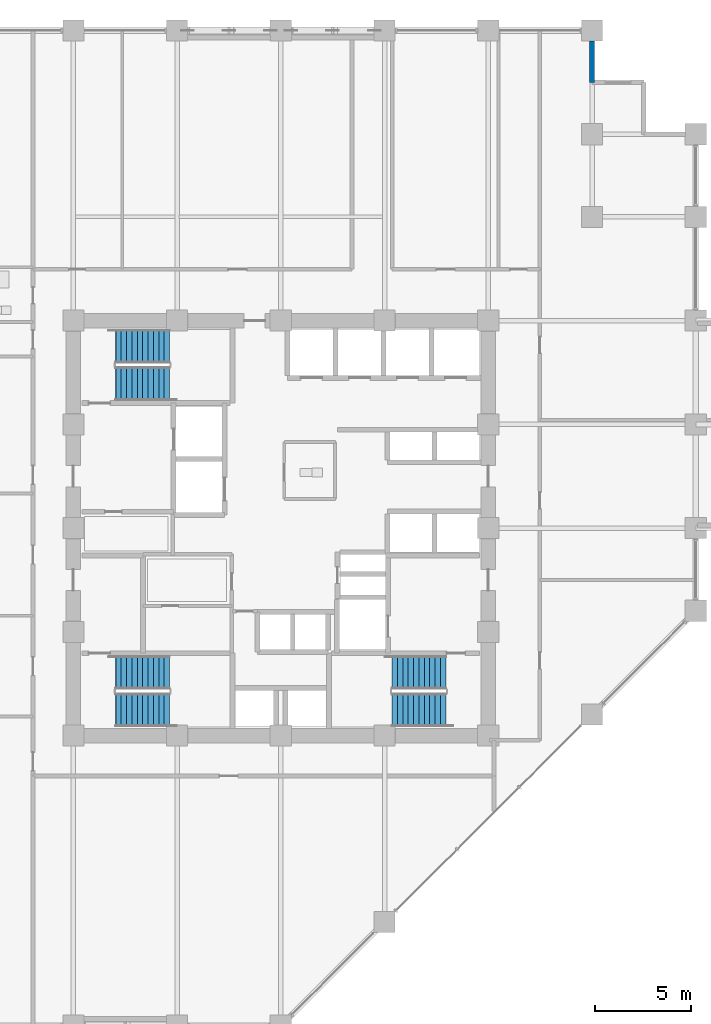
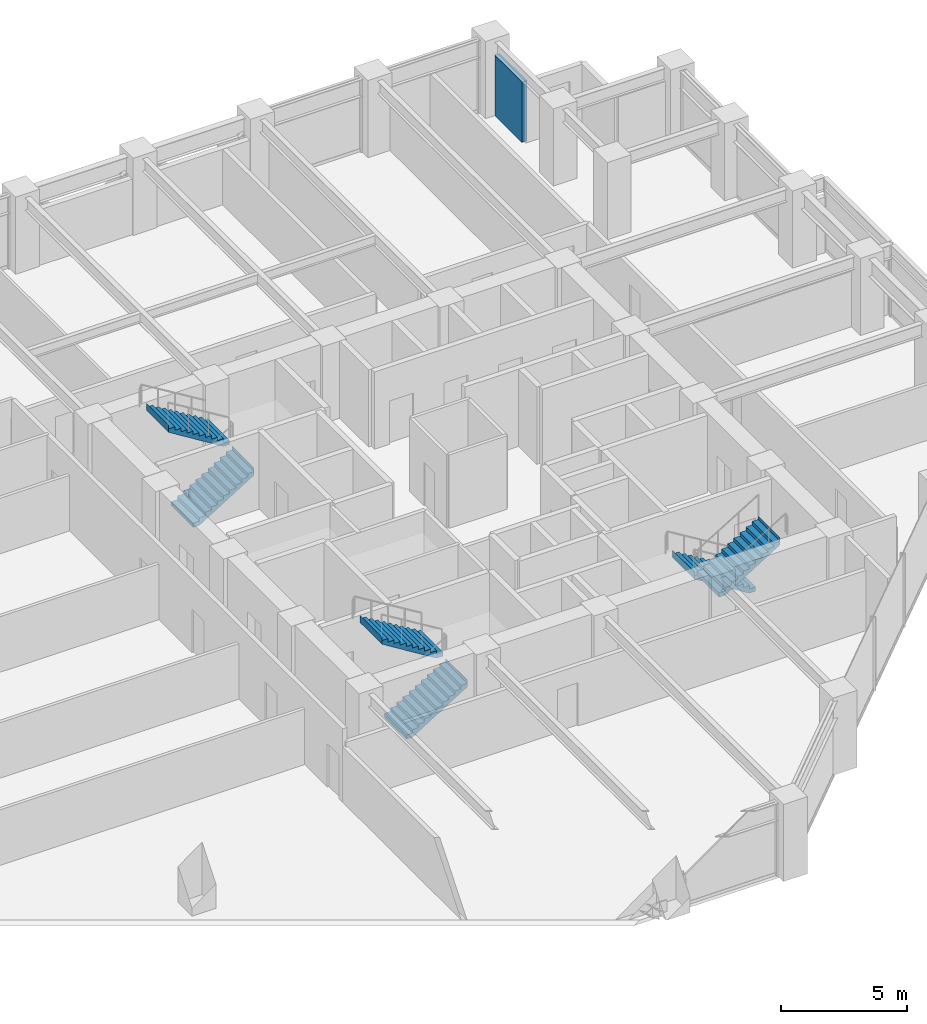
# One storey, part 23 of 26: 6 stair flights, 1 wall, 3 elements without a shape of their own.
"""IFC4 building model written with IfcOpenShell, lengths in metres."""

from ifc_helpers import new_model, si_unit, direction, frame, frame_2d, origin, place, context, subcontext, project, spatial, polyline, rectangle, outline, extrude, material, layer, layer_set, type_object, element, aggregate, save


model = new_model("IFC4")

# Units and contexts
model_context = context("Model", 3, precision=1e-05, world=origin(), true_north=direction((0.0, 1.0)))
body_context = subcontext(model_context, "Body", "Model", "MODEL_VIEW")
ifc_project = project(units=[si_unit("LENGTHUNIT", "METRE"), si_unit("AREAUNIT", "SQUARE_METRE"), si_unit("VOLUMEUNIT", "CUBIC_METRE"), si_unit("PLANEANGLEUNIT", "RADIAN"), si_unit("MASSUNIT", "GRAM", prefix="KILO")], contexts=[model_context])

# Site, building, storey
site_placement = place(None, origin())
site = spatial("IfcSite", under=ifc_project, at=site_placement, CompositionType="ELEMENT")
building_placement = place(site_placement, origin())
building = spatial("IfcBuilding", under=site, at=building_placement, Name="Surkhivell Harbour Commons", CompositionType="ELEMENT")
storey_placement = place(building_placement, frame((0.0, 0.0, 102.0)))
storey = spatial("IfcBuildingStorey", under=building, at=storey_placement, Name="L26", CompositionType="ELEMENT", Elevation=102.0)

# Wall
ifc_material_1 = material(Name="Bronze-ochre cassette precast concrete C45/55", Category="concrete")
ifc_layer = layer(ifc_material_1, 0.239990234375)
ifc_layer_set = layer_set([ifc_layer], Name="Bronze-ochre cassette precast concrete C45/55")
wall_type = type_object("IfcWallType", Name="WAL-EXT-OCH240", PredefinedType="STANDARD", material=ifc_layer_set)
wall_placement = place(storey_placement, frame((16.199951171875, 23.199951171875, 0.0), z_axis=(0.0, 0.0, 1.0), x_axis=(0.0, 1.0, 0.0)))
element("IfcWall", 1, at=wall_placement, inside=storey, type_object=wall_type, Name="L26 Serrated Corner Facade Wall 06", PredefinedType="STANDARD", context=body_context, shape_type="SweptSolid", body=[
    extrude(rectangle(XDim=2.152099609375, YDim=0.239990234375, at=frame_2d((1.076171875, 0.0))), origin(), (0.0, 0.0, 1.0), 2.93310546875),
])

# Stair, stair flights
ifc_material_2 = material(Name="Precast concrete C45/55", Category="concrete")
stair_type = type_object("IfcStairType", Name="STR-DL-375", PredefinedType="HALF_TURN_STAIR", material=ifc_material_2)
stair_1_placement = place(storey_placement, origin())
stair_1 = element("IfcStair", 2, at=stair_1_placement, inside=storey, type_object=stair_type, Name="L26 Core Exit Stair ST1", PredefinedType="HALF_TURN_STAIR")
stair_flight_type = type_object("IfcStairFlightType", Name="STF-DL-375", PredefinedType="STRAIGHT", material=ifc_material_2)
stair_flight_1_placement = place(storey_placement, frame((-8.590087890625, 7.514892578125, 0.0), z_axis=(0.0, 0.0, 1.0), x_axis=(1.0, 0.0, 0.0)))
stair_flight_1 = element("IfcStairFlight", 3, at=stair_flight_1_placement, type_object=stair_flight_type, Name="ST1 flight 1", NumberOfRisers=11, NumberOfTreads=10, PredefinedType="STRAIGHT", RiserHeight=0.170454545, TreadLength=0.28, context=body_context, shape_type="SweptSolid", body=[
    extrude(outline(polyline([(-0.0029296875, -0.034912109375), (-0.0029296875, 0.0), (0.0, 0.0), (0.0, 0.17041015625), (0.280029296875, 0.17041015625), (0.280029296875, 0.3408203125), (0.56005859375, 0.3408203125), (0.56005859375, 0.511474609375), (0.840087890625, 0.511474609375), (0.840087890625, 0.681884765625), (1.1201171875, 0.681884765625), (1.1201171875, 0.852294921875), (1.39990234375, 0.852294921875), (1.39990234375, 1.022705078125), (1.679931640625, 1.022705078125), (1.679931640625, 1.193115234375), (1.9599609375, 1.193115234375), (1.9599609375, 1.363525390625), (2.239990234375, 1.363525390625), (2.239990234375, 1.5341796875), (2.52001953125, 1.5341796875), (2.52001953125, 1.70458984375), (2.800048828125, 1.70458984375), (2.800048828125, 1.875), (2.802978515625, 1.875), (2.802978515625, 1.529052734375), (0.288330078125, -0.034912109375), (-0.0029296875, -0.034912109375)])), frame((0.0, 0.875, 0.0), z_axis=(0.0, -1.0, 0.0), x_axis=(1.0, 0.0, 0.0)), (0.0, 0.0, 1.0), 1.75),
])
stair_flight_2_placement = place(storey_placement, frame((-5.7900390625, 9.465087890625, 1.875), z_axis=(0.0, 0.0, 1.0), x_axis=(-1.0, 0.0, 0.0)))
stair_flight_2 = element("IfcStairFlight", 4, at=stair_flight_2_placement, type_object=stair_flight_type, Name="ST1 flight 2", NumberOfRisers=11, NumberOfTreads=10, PredefinedType="STRAIGHT", RiserHeight=0.170454545, TreadLength=0.28, context=body_context, shape_type="SweptSolid", body=[
    extrude(outline(polyline([(-0.0029296875, -0.034912109375), (-0.0029296875, 0.0), (0.0, 0.0), (0.0, 0.17041015625), (0.280029296875, 0.17041015625), (0.280029296875, 0.3408203125), (0.56005859375, 0.3408203125), (0.56005859375, 0.511474609375), (0.840087890625, 0.511474609375), (0.840087890625, 0.681884765625), (1.1201171875, 0.681884765625), (1.1201171875, 0.852294921875), (1.39990234375, 0.852294921875), (1.39990234375, 1.022705078125), (1.679931640625, 1.022705078125), (1.679931640625, 1.193115234375), (1.9599609375, 1.193115234375), (1.9599609375, 1.363525390625), (2.239990234375, 1.363525390625), (2.239990234375, 1.5341796875), (2.52001953125, 1.5341796875), (2.52001953125, 1.70458984375), (2.800048828125, 1.70458984375), (2.800048828125, 1.875), (2.802978515625, 1.875), (2.802978515625, 1.529052734375), (0.288330078125, -0.034912109375), (-0.0029296875, -0.034912109375)])), frame((0.0, 0.875, 0.0), z_axis=(0.0, -1.0, 0.0), x_axis=(1.0, 0.0, 0.0)), (0.0, 0.0, 1.0), 1.75),
])
aggregate(stair_1, [stair_flight_1, stair_flight_2])

stair_2_placement = place(storey_placement, origin())
stair_2 = element("IfcStair", 5, at=stair_2_placement, inside=storey, type_object=stair_type, Name="L26 Core Exit Stair ST2", PredefinedType="HALF_TURN_STAIR")
stair_flight_3_placement = place(storey_placement, frame((8.590087890625, -7.514892578125, 0.0), z_axis=(0.0, 0.0, 1.0), x_axis=(-1.0, 0.0, 0.0)))
stair_flight_3 = element("IfcStairFlight", 6, at=stair_flight_3_placement, type_object=stair_flight_type, Name="ST2 flight 1", NumberOfRisers=11, NumberOfTreads=10, PredefinedType="STRAIGHT", RiserHeight=0.170454545, TreadLength=0.28, context=body_context, shape_type="SweptSolid", body=[
    extrude(outline(polyline([(-0.0029296875, -0.034912109375), (-0.0029296875, 0.0), (0.0, 0.0), (0.0, 0.17041015625), (0.280029296875, 0.17041015625), (0.280029296875, 0.3408203125), (0.56005859375, 0.3408203125), (0.56005859375, 0.511474609375), (0.840087890625, 0.511474609375), (0.840087890625, 0.681884765625), (1.1201171875, 0.681884765625), (1.1201171875, 0.852294921875), (1.39990234375, 0.852294921875), (1.39990234375, 1.022705078125), (1.679931640625, 1.022705078125), (1.679931640625, 1.193115234375), (1.9599609375, 1.193115234375), (1.9599609375, 1.363525390625), (2.239990234375, 1.363525390625), (2.239990234375, 1.5341796875), (2.52001953125, 1.5341796875), (2.52001953125, 1.70458984375), (2.800048828125, 1.70458984375), (2.800048828125, 1.875), (2.802978515625, 1.875), (2.802978515625, 1.529052734375), (0.288330078125, -0.034912109375), (-0.0029296875, -0.034912109375)])), frame((0.0, 0.875, 0.0), z_axis=(0.0, -1.0, 0.0), x_axis=(1.0, 0.0, 0.0)), (0.0, 0.0, 1.0), 1.75),
])
stair_flight_4_placement = place(storey_placement, frame((5.7900390625, -9.465087890625, 1.875), z_axis=(0.0, 0.0, 1.0), x_axis=(1.0, 0.0, 0.0)))
stair_flight_4 = element("IfcStairFlight", 7, at=stair_flight_4_placement, type_object=stair_flight_type, Name="ST2 flight 2", NumberOfRisers=11, NumberOfTreads=10, PredefinedType="STRAIGHT", RiserHeight=0.170454545, TreadLength=0.28, context=body_context, shape_type="SweptSolid", body=[
    extrude(outline(polyline([(-0.0029296875, -0.034912109375), (-0.0029296875, 0.0), (0.0, 0.0), (0.0, 0.17041015625), (0.280029296875, 0.17041015625), (0.280029296875, 0.3408203125), (0.56005859375, 0.3408203125), (0.56005859375, 0.511474609375), (0.840087890625, 0.511474609375), (0.840087890625, 0.681884765625), (1.1201171875, 0.681884765625), (1.1201171875, 0.852294921875), (1.39990234375, 0.852294921875), (1.39990234375, 1.022705078125), (1.679931640625, 1.022705078125), (1.679931640625, 1.193115234375), (1.9599609375, 1.193115234375), (1.9599609375, 1.363525390625), (2.239990234375, 1.363525390625), (2.239990234375, 1.5341796875), (2.52001953125, 1.5341796875), (2.52001953125, 1.70458984375), (2.800048828125, 1.70458984375), (2.800048828125, 1.875), (2.802978515625, 1.875), (2.802978515625, 1.529052734375), (0.288330078125, -0.034912109375), (-0.0029296875, -0.034912109375)])), frame((0.0, 0.875, 0.0), z_axis=(0.0, -1.0, 0.0), x_axis=(1.0, 0.0, 0.0)), (0.0, 0.0, 1.0), 1.75),
])
aggregate(stair_2, [stair_flight_3, stair_flight_4])

stair_3_placement = place(storey_placement, origin())
stair_3 = element("IfcStair", 8, at=stair_3_placement, inside=storey, type_object=stair_type, Name="L26 Core Exit Stair ST3", PredefinedType="HALF_TURN_STAIR")
stair_flight_5_placement = place(storey_placement, frame((-8.590087890625, -9.465087890625, 0.0), z_axis=(0.0, 0.0, 1.0), x_axis=(1.0, 0.0, 0.0)))
stair_flight_5 = element("IfcStairFlight", 9, at=stair_flight_5_placement, type_object=stair_flight_type, Name="ST3 flight 1", NumberOfRisers=11, NumberOfTreads=10, PredefinedType="STRAIGHT", RiserHeight=0.170454545, TreadLength=0.28, context=body_context, shape_type="SweptSolid", body=[
    extrude(outline(polyline([(-0.0029296875, -0.034912109375), (-0.0029296875, 0.0), (0.0, 0.0), (0.0, 0.17041015625), (0.280029296875, 0.17041015625), (0.280029296875, 0.3408203125), (0.56005859375, 0.3408203125), (0.56005859375, 0.511474609375), (0.840087890625, 0.511474609375), (0.840087890625, 0.681884765625), (1.1201171875, 0.681884765625), (1.1201171875, 0.852294921875), (1.39990234375, 0.852294921875), (1.39990234375, 1.022705078125), (1.679931640625, 1.022705078125), (1.679931640625, 1.193115234375), (1.9599609375, 1.193115234375), (1.9599609375, 1.363525390625), (2.239990234375, 1.363525390625), (2.239990234375, 1.5341796875), (2.52001953125, 1.5341796875), (2.52001953125, 1.70458984375), (2.800048828125, 1.70458984375), (2.800048828125, 1.875), (2.802978515625, 1.875), (2.802978515625, 1.529052734375), (0.288330078125, -0.034912109375), (-0.0029296875, -0.034912109375)])), frame((0.0, 0.875, 0.0), z_axis=(0.0, -1.0, 0.0), x_axis=(1.0, 0.0, 0.0)), (0.0, 0.0, 1.0), 1.75),
])
stair_flight_6_placement = place(storey_placement, frame((-5.7900390625, -7.514892578125, 1.875), z_axis=(0.0, 0.0, 1.0), x_axis=(-1.0, 0.0, 0.0)))
stair_flight_6 = element("IfcStairFlight", 10, at=stair_flight_6_placement, type_object=stair_flight_type, Name="ST3 flight 2", NumberOfRisers=11, NumberOfTreads=10, PredefinedType="STRAIGHT", RiserHeight=0.170454545, TreadLength=0.28, context=body_context, shape_type="SweptSolid", body=[
    extrude(outline(polyline([(-0.0029296875, -0.034912109375), (-0.0029296875, 0.0), (0.0, 0.0), (0.0, 0.17041015625), (0.280029296875, 0.17041015625), (0.280029296875, 0.3408203125), (0.56005859375, 0.3408203125), (0.56005859375, 0.511474609375), (0.840087890625, 0.511474609375), (0.840087890625, 0.681884765625), (1.1201171875, 0.681884765625), (1.1201171875, 0.852294921875), (1.39990234375, 0.852294921875), (1.39990234375, 1.022705078125), (1.679931640625, 1.022705078125), (1.679931640625, 1.193115234375), (1.9599609375, 1.193115234375), (1.9599609375, 1.363525390625), (2.239990234375, 1.363525390625), (2.239990234375, 1.5341796875), (2.52001953125, 1.5341796875), (2.52001953125, 1.70458984375), (2.800048828125, 1.70458984375), (2.800048828125, 1.875), (2.802978515625, 1.875), (2.802978515625, 1.529052734375), (0.288330078125, -0.034912109375), (-0.0029296875, -0.034912109375)])), frame((0.0, 0.875, 0.0), z_axis=(0.0, -1.0, 0.0), x_axis=(1.0, 0.0, 0.0)), (0.0, 0.0, 1.0), 1.75),
])
aggregate(stair_3, [stair_flight_5, stair_flight_6])

save(model, "model.ifc")
